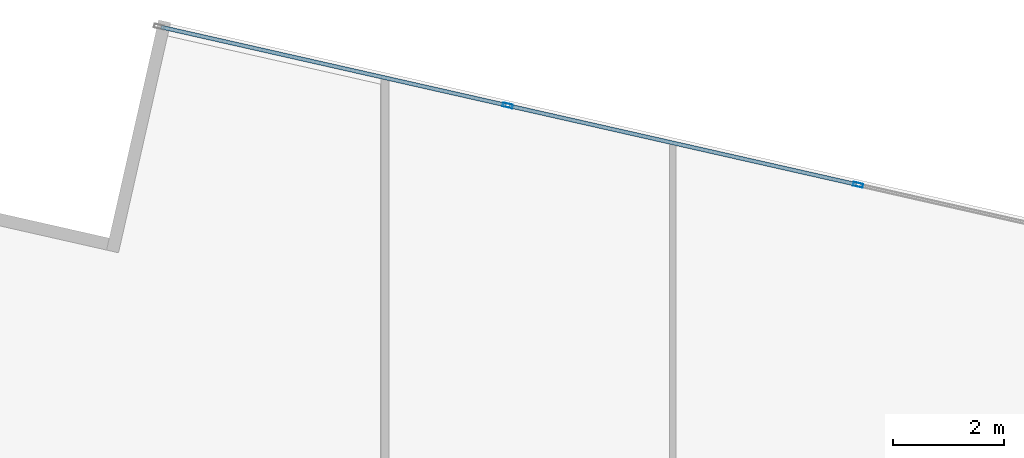
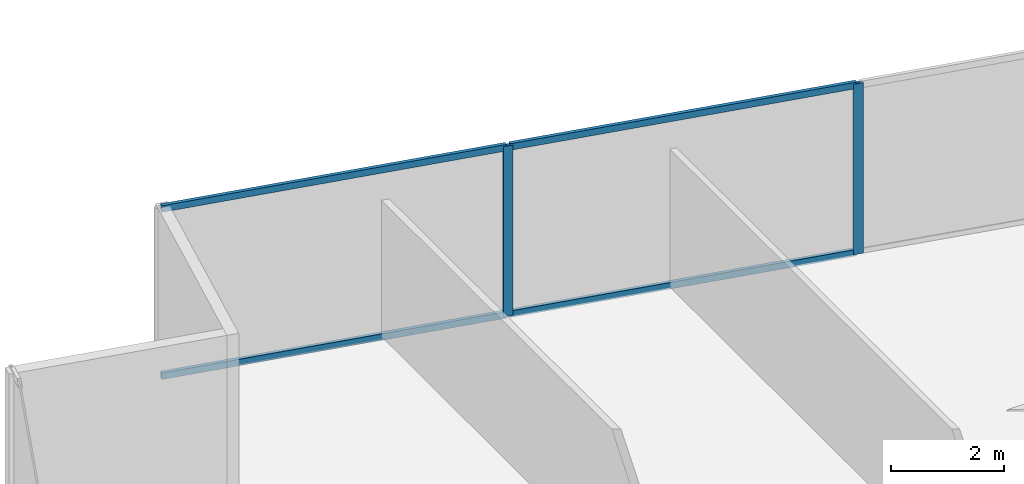
# One storey, part 18 of 27: 6 members, 1 element without a shape of its own.
"""IFC4 building model written with IfcOpenShell, lengths in metres."""

import ifcopenshell
import ifcopenshell.guid

model = None  # the IFC model being written
_history = None  # IfcOwnerHistory: only IFC2X3 demands one
_inside = {}  # id of a spatial element -> (the spatial element, [elements in it])
_under = {}  # id of a project, library or spatial element -> (it, [spatial elements below it])
_declared = {}  # id of a project -> (the project, [libraries it declares])
_typed = {}  # id of a type object -> (the type object, [elements of that type])
_made_of = {}  # id of a material, layer set ... -> (it, [elements and type objects made of it])


def new_model(schema):
    """Start an empty IFC model of exactly this schema.

    Asked for "IFC4X3", IfcOpenShell would pick the latest addendum, in which some entities
    have other attributes; the version numbers below select the first issue.
    IFC2X3 requires an IfcOwnerHistory on every rooted entity: one is made here for all.
    """
    global model, _history
    if schema == "IFC4X3":
        model = ifcopenshell.file(schema_version=(4, 3, 0, 0))
    else:
        model = ifcopenshell.file(schema=schema)
    _inside.clear()
    _under.clear()
    _declared.clear()
    _typed.clear()
    _made_of.clear()
    _history = None
    if model.schema == "IFC2X3":
        org = make("IfcOrganization", Name="unknown")
        user = make(
            "IfcPersonAndOrganization",
            ThePerson=make("IfcPerson", FamilyName="unknown"),
            TheOrganization=org,
        )
        app = make(
            "IfcApplication",
            ApplicationDeveloper=org,
            Version="unknown",
            ApplicationFullName="unknown",
            ApplicationIdentifier="unknown",
        )
        _history = make(
            "IfcOwnerHistory",
            OwningUser=user,
            OwningApplication=app,
            ChangeAction="ADDED",
            CreationDate=0,
        )
    return model


def make(cls, **values):
    """One entity of the class cls with the attributes given. An attribute that is None is left unset."""
    return model.create_entity(
        cls, **{name: value for name, value in values.items() if value is not None}
    )


def rooted(cls, **values):
    """An entity with a GlobalId (a new one), such as an element, a storey or a relation."""
    return make(cls, GlobalId=ifcopenshell.guid.new(), OwnerHistory=_history, **values)


def si_unit(unit_type, name, prefix=None):
    """IfcSIUnit, for example si_unit("LENGTHUNIT", "METRE", prefix="MILLI")."""
    return make("IfcSIUnit", UnitType=unit_type, Prefix=prefix, Name=name)


def assignment(units):
    """IfcUnitAssignment: the units of a project."""
    return None if units is None else make("IfcUnitAssignment", Units=units)


def point(xyz):
    """IfcCartesianPoint."""
    return None if xyz is None else make("IfcCartesianPoint", Coordinates=xyz)


def direction(xyz):
    """IfcDirection."""
    return None if xyz is None else make("IfcDirection", DirectionRatios=xyz)


def frame(location, z_axis=None, x_axis=None):
    """IfcAxis2Placement3D, a coordinate frame: its origin and axes. An axis left out is left unset."""
    return make(
        "IfcAxis2Placement3D",
        Location=point(location),
        Axis=direction(z_axis),
        RefDirection=direction(x_axis),
    )


def frame_2d(location, x_axis=None):
    """IfcAxis2Placement2D, a coordinate frame in the plane: its origin and x axis."""
    return make(
        "IfcAxis2Placement2D", Location=point(location), RefDirection=direction(x_axis)
    )


def origin():
    """The frame at (0, 0, 0) with its axes left unset."""
    return frame((0.0, 0.0, 0.0))


def origin_2d():
    """The frame at (0, 0) in the plane with its x axis left unset."""
    return frame_2d((0.0, 0.0))


def place(relative_to, where):
    """IfcLocalPlacement: puts the frame where relative to a parent placement (None: the world)."""
    return make(
        "IfcLocalPlacement", PlacementRelTo=relative_to, RelativePlacement=where
    )


def context(
    kind, dimensions, precision=None, world=None, true_north=None, identifier=None
):
    """IfcGeometricRepresentationContext, for example the 3D "Model" context."""
    return make(
        "IfcGeometricRepresentationContext",
        ContextIdentifier=identifier,
        ContextType=kind,
        CoordinateSpaceDimension=dimensions,
        Precision=precision,
        WorldCoordinateSystem=world,
        TrueNorth=true_north,
    )


def subcontext(parent, identifier, kind, view, scale=None):
    """IfcGeometricRepresentationSubContext, for example "Body" below "Model"."""
    return make(
        "IfcGeometricRepresentationSubContext",
        ContextIdentifier=identifier,
        ContextType=kind,
        ParentContext=parent,
        TargetScale=scale,
        TargetView=view,
    )


def project(units=None, contexts=None):
    """IfcProject with its units and contexts."""
    return rooted(
        "IfcProject",
        Name="project",
        RepresentationContexts=contexts,
        UnitsInContext=assignment(units),
    )


def spatial(cls, under=None, at=None, **own):
    """A site, building, storey or space (cls), placed at a placement, below another one or the project."""
    s = rooted(cls, ObjectPlacement=at, **own)
    if under is not None:
        _under.setdefault(under.id(), (under, []))[1].append(s)
    return s


def profile(cls, at=None, kind="AREA", **sizes):
    """A parametric profile (cls). Its sizes go by their IFC names, for example OverallWidth=200.0."""
    return make(cls, ProfileType=kind, Position=at, **sizes)


def hollow_rectangle(**sizes):
    """IfcRectangleHollowProfileDef."""
    return profile("IfcRectangleHollowProfileDef", **sizes)


def extrude(swept, where, along, depth):
    """IfcExtrudedAreaSolid: the profile swept, set in the frame where, extruded along a direction by depth."""
    return make(
        "IfcExtrudedAreaSolid",
        SweptArea=swept,
        Position=where,
        ExtrudedDirection=direction(along),
        Depth=depth,
    )


def shape(context_of_items, identifier, shape_type, items):
    """IfcShapeRepresentation: the items that make up one representation, for example the "Body"."""
    return make(
        "IfcShapeRepresentation",
        ContextOfItems=context_of_items,
        RepresentationIdentifier=identifier,
        RepresentationType=shape_type,
        Items=items,
    )


def source(mapping_origin, context_of_items, identifier, shape_type, items):
    """IfcRepresentationMap: a shape defined once, which mapped items show again and again."""
    return make(
        "IfcRepresentationMap",
        MappingOrigin=mapping_origin,
        MappedRepresentation=shape(context_of_items, identifier, shape_type, items),
    )


def transform(
    local_origin,
    x_axis=None,
    y_axis=None,
    z_axis=None,
    scale=None,
    scale2=None,
    scale3=None,
    uniform=True,
):
    """IfcCartesianTransformationOperator3D, or its non-uniform kind. x_axis, y_axis, z_axis: its Axis1, 2, 3."""
    if uniform:
        return make(
            "IfcCartesianTransformationOperator3D",
            Axis1=direction(x_axis),
            Axis2=direction(y_axis),
            LocalOrigin=point(local_origin),
            Scale=scale,
            Axis3=direction(z_axis),
        )
    return make(
        "IfcCartesianTransformationOperator3DnonUniform",
        Axis1=direction(x_axis),
        Axis2=direction(y_axis),
        LocalOrigin=point(local_origin),
        Scale=scale,
        Axis3=direction(z_axis),
        Scale2=scale2,
        Scale3=scale3,
    )


def mapped(mapping_source, mapping_target):
    """IfcMappedItem: shows the shape of a source again, moved by a transform."""
    return make(
        "IfcMappedItem", MappingSource=mapping_source, MappingTarget=mapping_target
    )


def material(Name=None, Category=None):
    """IfcMaterial."""
    return make("IfcMaterial", Name=Name, Category=Category)


def material_profile(
    of_material, cross_section, Name=None, Category=None, Priority=None
):
    """IfcMaterialProfile: a cross section and its material."""
    return make(
        "IfcMaterialProfile",
        Name=Name,
        Material=of_material,
        Profile=cross_section,
        Priority=Priority,
        Category=Category,
    )


def profile_set(profiles, Name=None, composite=None):
    """IfcMaterialProfileSet."""
    return make(
        "IfcMaterialProfileSet",
        Name=Name,
        MaterialProfiles=profiles,
        CompositeProfile=composite,
    )


def made_of(thing, what):
    """Note that an element or type object is made of a material, layer set ...; save() writes the relation."""
    if what is not None:
        _made_of.setdefault(what.id(), (what, []))[1].append(thing)
    return thing


def type_object(cls, material=None, **own):
    """A type object (cls), such as IfcWallType, which elements share."""
    return made_of(rooted(cls, **own), material)


def type_shapes(of_type, sources):
    """Give a type object the sources (RepresentationMaps) that its elements show as mapped items."""
    of_type.RepresentationMaps = sources


def element(
    cls,
    number,
    at=None,
    inside=None,
    cuts=None,
    type_object=None,
    material=None,
    context=None,
    identifier="Body",
    shape_type=None,
    held_by="IfcProductDefinitionShape",
    body=None,
    shapes=None,
    **own,
):
    """One element of the class cls, such as IfcWall. Its Tag is "e" and its number.

    at: its placement. inside: the storey or other place that contains it. cuts: it is an
    opening in that element (IfcRelVoidsElement). A single representation is given by context,
    identifier, shape_type and body (its items); several are given by shapes. held_by: the class
    of the entity that holds the representations. save() writes the other relations.
    """
    e = rooted(cls, Tag="e%d" % number, ObjectPlacement=at, **own)
    if body is not None:
        shapes = [shape(context, identifier, shape_type, body)]
    if shapes is not None:
        e.Representation = make(held_by, Representations=shapes)
    if inside is not None:
        _inside.setdefault(inside.id(), (inside, []))[1].append(e)
    if cuts is not None:
        rooted(
            "IfcRelVoidsElement", RelatingBuildingElement=cuts, RelatedOpeningElement=e
        )
    if type_object is not None:
        _typed.setdefault(type_object.id(), (type_object, []))[1].append(e)
    return made_of(e, material)


def aggregate(whole, parts):
    """IfcRelAggregates: a whole, such as a stair, and the parts it consists of."""
    return rooted("IfcRelAggregates", RelatingObject=whole, RelatedObjects=parts)


def save(model, path):
    """Write the relations noted so far, then the file.

    IfcRelAggregates (storeys below a building ...), IfcRelContainedInSpatialStructure (elements
    in a storey), IfcRelDefinesByType, IfcRelAssociatesMaterial and IfcRelDeclares: one each for
    every whole, place, type object, material and project.
    """
    for whole, parts in _under.values():
        aggregate(whole, parts)
    for where, things in _inside.values():
        rooted(
            "IfcRelContainedInSpatialStructure",
            RelatedElements=things,
            RelatingStructure=where,
        )
    for kind, things in _typed.values():
        rooted("IfcRelDefinesByType", RelatedObjects=things, RelatingType=kind)
    for what, things in _made_of.values():
        rooted("IfcRelAssociatesMaterial", RelatedObjects=things, RelatingMaterial=what)
    for by, libraries in _declared.values():
        rooted("IfcRelDeclares", RelatingContext=by, RelatedDefinitions=libraries)
    model.write(path)


model = new_model("IFC4")

# Units and contexts
model_context = context("Model", 3, precision=1e-05, world=origin(), true_north=direction((0.0, 1.0)))
body_context = subcontext(model_context, "Body", "Model", "MODEL_VIEW")
ifc_project = project(units=[si_unit("LENGTHUNIT", "METRE"), si_unit("AREAUNIT", "SQUARE_METRE"), si_unit("VOLUMEUNIT", "CUBIC_METRE"), si_unit("PLANEANGLEUNIT", "RADIAN"), si_unit("MASSUNIT", "GRAM", prefix="KILO")], contexts=[model_context])

# Site, building, storey
site_placement = place(None, origin())
site = spatial("IfcSite", under=ifc_project, at=site_placement, CompositionType="ELEMENT")
building_placement = place(site_placement, origin())
building = spatial("IfcBuilding", under=site, at=building_placement, Name="Krantzveldt Concourse Tower", CompositionType="ELEMENT")
storey_placement = place(building_placement, frame((0.0, 0.0, 86.10009765625)))
storey = spatial("IfcBuildingStorey", under=building, at=storey_placement, Name="L20", CompositionType="ELEMENT", Elevation=86.10009765625)

# Curtain wall, members
ifc_material = material(Name="Anodised aluminium 6063-T6", Category="aluminium")
curtain_wall_type = type_object("IfcCurtainWallType", Name="CW2", PredefinedType="USERDEFINED", material=ifc_material)
curtain_wall_placement = place(storey_placement, origin())
curtain_wall = element("IfcCurtainWall", 1, at=curtain_wall_placement, inside=storey, type_object=curtain_wall_type, Name="CW-L20-F10", ObjectType="UNITISED CURTAIN WALL", PredefinedType="USERDEFINED")
ifc_material_profile_1 = material_profile(ifc_material, hollow_rectangle(XDim=0.070068359375, YDim=0.179931640625, WallThickness=0.0048828125, at=origin_2d()), Name="Anodised aluminium 6063-T6", Category="aluminium")
ifc_profile_set_1 = profile_set([ifc_material_profile_1], Name="Anodised aluminium 6063-T6 - ALU-MULL 180x70x5")
member_type_1 = type_object("IfcMemberType", Name="CW-MUL-180", PredefinedType="MULLION", material=ifc_profile_set_1)
shared_shape_1 = source(origin(), body_context, "Body", "SweptSolid", [
    extrude(hollow_rectangle(XDim=0.070068359375, YDim=0.179931640625, WallThickness=0.0048828125, at=origin_2d()), origin(), (0.0, 0.0, 1.0), 3.669921875),
])
type_shapes(member_type_1, [shared_shape_1])
member_1_placement = place(storey_placement, frame((34.837158203125, 50.8623046875, 0.0), z_axis=(0.0, 0.0, 1.0), x_axis=(-0.220697434579, -0.975342320609, 0.0)))
member_1 = element("IfcMember", 2, at=member_1_placement, type_object=member_type_1, Name="CW-Z12 mullion 5", PredefinedType="MULLION", context=body_context, shape_type="MappedRepresentation", body=[
    mapped(shared_shape_1, transform((0.0, 0.0, 0.0), x_axis=(1.0, 0.0, 0.0), y_axis=(0.0, 1.0, 0.0), z_axis=(0.0, 0.0, 1.0), scale=1.0)),
])
member_2_placement = place(storey_placement, frame((28.530029296875, 52.28955078125, 0.0), z_axis=(0.0, 0.0, 1.0), x_axis=(-0.220697434579, -0.975342320609, 0.0)))
member_2 = element("IfcMember", 3, at=member_2_placement, type_object=member_type_1, Name="CW-Z12 mullion 6", PredefinedType="MULLION", context=body_context, shape_type="MappedRepresentation", body=[
    mapped(shared_shape_1, transform((0.0, 0.0, 0.0), x_axis=(1.0, 0.0, 0.0), y_axis=(0.0, 1.0, 0.0), z_axis=(0.0, 0.0, 1.0), scale=1.0)),
])
ifc_material_profile_2 = material_profile(ifc_material, hollow_rectangle(XDim=0.070068359375, YDim=0.139892578125, WallThickness=0.0048828125, at=origin_2d()), Name="Anodised aluminium 6063-T6", Category="aluminium")
ifc_profile_set_2 = profile_set([ifc_material_profile_2], Name="Anodised aluminium 6063-T6 - ALU-TRAN 140x70x5")
member_type_2 = type_object("IfcMemberType", Name="CW-TRN-150", PredefinedType="USERDEFINED", material=ifc_profile_set_2)
shared_shape_2 = source(origin(), body_context, "Body", "SweptSolid", [
    extrude(hollow_rectangle(XDim=0.070068359375, YDim=0.139892578125, WallThickness=0.0048828125, at=origin_2d()), origin(), (0.0, 0.0, 1.0), 6.396728515625),
])
member_3_placement = place(storey_placement, frame((34.80322265625, 50.8701171875, 0.034912109375), z_axis=(-0.975346478519, 0.220679058454, 0.0), x_axis=(-0.220679058454, -0.975346478519, 0.0)))
member_3 = element("IfcMember", 4, at=member_3_placement, type_object=member_type_2, Name="CW-Z12 transom 5.1", ObjectType="TRANSOM", PredefinedType="USERDEFINED", context=body_context, shape_type="MappedRepresentation", body=[
    mapped(shared_shape_2, transform((0.0, 0.0, 0.0), x_axis=(1.0, 0.0, 0.0), y_axis=(0.0, 1.0, 0.0), z_axis=(0.0, 0.0, 1.0), scale=1.0)),
])
member_4_placement = place(storey_placement, frame((34.80322265625, 50.8701171875, 3.635009765625), z_axis=(-0.975346478519, 0.220679058454, 0.0), x_axis=(-0.220679058454, -0.975346478519, 0.0)))
member_4 = element("IfcMember", 5, at=member_4_placement, type_object=member_type_2, Name="CW-Z12 transom 5.2", ObjectType="TRANSOM", PredefinedType="USERDEFINED", context=body_context, shape_type="MappedRepresentation", body=[
    mapped(shared_shape_2, transform((0.0, 0.0, 0.0), x_axis=(1.0, 0.0, 0.0), y_axis=(0.0, 1.0, 0.0), z_axis=(0.0, 0.0, 1.0), scale=1.0)),
])
shared_shape_3 = source(origin(), body_context, "Body", "SweptSolid", [
    extrude(hollow_rectangle(XDim=0.070068359375, YDim=0.139892578125, WallThickness=0.0048828125, at=origin_2d()), origin(), (0.0, 0.0, 1.0), 6.36181640625),
])
type_shapes(member_type_2, [shared_shape_2, shared_shape_3])
member_5_placement = place(storey_placement, frame((28.495849609375, 52.29736328125, 0.034912109375), z_axis=(-0.975340894424, 0.220703737314, 0.0), x_axis=(-0.220703737314, -0.975340894424, 0.0)))
member_5 = element("IfcMember", 6, at=member_5_placement, type_object=member_type_2, Name="CW-Z12 transom 6.1", ObjectType="TRANSOM", PredefinedType="USERDEFINED", context=body_context, shape_type="MappedRepresentation", body=[
    mapped(shared_shape_3, transform((0.0, 0.0, 0.0), x_axis=(1.0, 0.0, 0.0), y_axis=(0.0, 1.0, 0.0), z_axis=(0.0, 0.0, 1.0), scale=1.0)),
])
member_6_placement = place(storey_placement, frame((28.495849609375, 52.29736328125, 3.635009765625), z_axis=(-0.975340894424, 0.220703737314, 0.0), x_axis=(-0.220703737314, -0.975340894424, 0.0)))
member_6 = element("IfcMember", 7, at=member_6_placement, type_object=member_type_2, Name="CW-Z12 transom 6.2", ObjectType="TRANSOM", PredefinedType="USERDEFINED", context=body_context, shape_type="MappedRepresentation", body=[
    mapped(shared_shape_3, transform((0.0, 0.0, 0.0), x_axis=(1.0, 0.0, 0.0), y_axis=(0.0, 1.0, 0.0), z_axis=(0.0, 0.0, 1.0), scale=1.0)),
])
aggregate(curtain_wall, [member_1, member_2, member_3, member_4, member_5, member_6])

save(model, "model.ifc")
